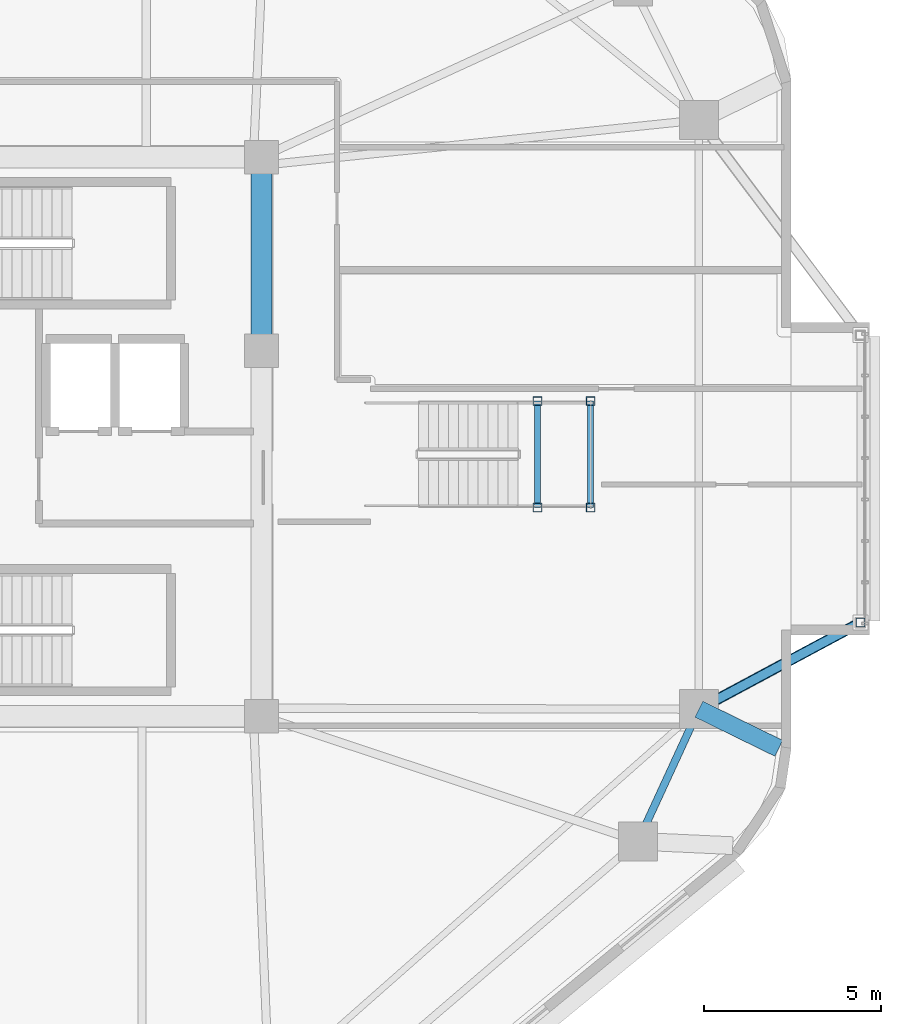
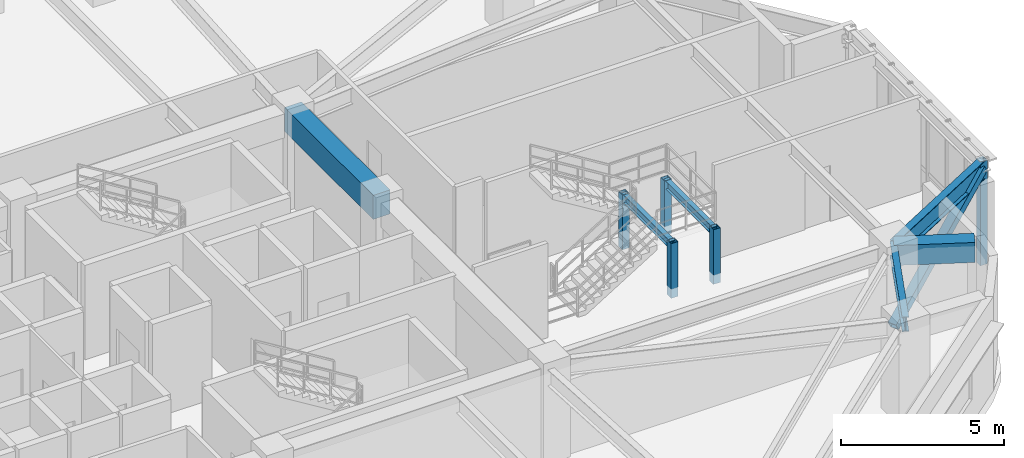
# One storey, part 5 of 16: 6 beams, 6 members.
"""IFC4 building model written with IfcOpenShell, lengths in metres."""

from ifc_helpers import new_model, si_unit, direction, frame, origin, origin_2d, place, context, subcontext, project, spatial, rectangle, hollow_rectangle, i_section, extrude, material, material_profile, profile_set, type_object, element, save


model = new_model("IFC4")

# Units and contexts
model_context = context("Model", 3, precision=1e-05, world=origin(), true_north=direction((0.0, 1.0)))
body_context = subcontext(model_context, "Body", "Model", "MODEL_VIEW")
ifc_project = project(units=[si_unit("LENGTHUNIT", "METRE"), si_unit("AREAUNIT", "SQUARE_METRE"), si_unit("VOLUMEUNIT", "CUBIC_METRE"), si_unit("PLANEANGLEUNIT", "RADIAN"), si_unit("MASSUNIT", "GRAM", prefix="KILO")], contexts=[model_context])

# Site, building, storey
site_placement = place(None, origin())
site = spatial("IfcSite", under=ifc_project, at=site_placement, CompositionType="ELEMENT")
building_placement = place(site_placement, origin())
building = spatial("IfcBuilding", under=site, at=building_placement, Name="Zulverin Broadcast Headquarters", CompositionType="ELEMENT")
storey_placement = place(building_placement, frame((0.0, 0.0, 125.0)))
storey = spatial("IfcBuildingStorey", under=building, at=storey_placement, Name="L31", CompositionType="ELEMENT", Elevation=125.0)

# Beams
ifc_material_1 = material(Name="Concrete C60/75", Category="concrete")
ifc_material_profile_1 = material_profile(ifc_material_1, rectangle(XDim=0.60009765625, YDim=0.89990234375, at=origin_2d()), Name="Concrete C60/75", Category="concrete")
ifc_profile_set_1 = profile_set([ifc_material_profile_1], Name="Concrete C60/75")
beam_type_1 = type_object("IfcBeamType", Name="BM-CB-600x900", PredefinedType="LINTEL", material=ifc_profile_set_1)
beam_1_placement = place(storey_placement, frame((48.27490234375, 27.6201171875, 3.090087890625), z_axis=(0.0, 1.0, 0.0), x_axis=(-1.0, 0.0, 0.0)))
element("IfcBeam", 1, at=beam_1_placement, inside=storey, type_object=beam_type_1, Name="L31 Core Coupling Girder K04-K05", PredefinedType="LINTEL", context=body_context, shape_type="SweptSolid", body=[
    extrude(rectangle(XDim=0.60009765625, YDim=0.89990234375, at=origin_2d()), origin(), (0.0, 0.0, 1.0), 5.454833984375),
])
ifc_material_2 = material(Name="Concrete C40/50", Category="concrete")
ifc_material_profile_2 = material_profile(ifc_material_2, rectangle(XDim=0.5, YDim=0.75, at=origin_2d()), Name="Concrete C40/50", Category="concrete")
ifc_profile_set_2 = profile_set([ifc_material_profile_2], Name="Concrete C40/50")
beam_type_2 = type_object("IfcBeamType", Name="BM-RC-500x750", PredefinedType="BEAM", material=ifc_profile_set_2)
beam_2_placement = place(storey_placement, frame((60.60009765625, 17.519287109375, 3.1650390625), z_axis=(0.898215084613, -0.439556210027, 0.0), x_axis=(0.439556210027, 0.898215084613, 0.0)))
element("IfcBeam", 2, at=beam_2_placement, inside=storey, type_object=beam_type_2, Name="L32 Plate Overhang Back-Spanned Beam OVR-05", PredefinedType="BEAM", context=body_context, shape_type="SweptSolid", body=[
    extrude(rectangle(XDim=0.5, YDim=0.75, at=origin_2d()), origin(), (0.0, 0.0, 1.0), 2.5048828125),
])
ifc_material_3 = material(Name="Structural steel S355JR", Category="steel")
ifc_material_profile_3 = material_profile(ifc_material_3, i_section(OverallWidth=0.1669921875, OverallDepth=0.310302734375, WebThickness=0.0078125, FlangeThickness=0.013671875, at=origin_2d()), Name="Structural steel S355JR", Category="steel")
ifc_profile_set_3 = profile_set([ifc_material_profile_3], Name="Structural steel S355JR")
beam_type_3 = type_object("IfcBeamType", Name="BM-UB-305", PredefinedType="SPANDREL", material=ifc_profile_set_3)
for number, where, z_axis, x_axis, name in (
    (3, (57.550048828125, 23.199951171875, 1.544921875), (0.0, 1.0, 0.0), (-1.0, 0.0, 0.0), "L31 Sky Stair Half-Landing Beam Outer"),
    (4, (56.050048828125, 23.199951171875, 1.544921875), (0.0, 1.0, 0.0), (-1.0, 0.0, 0.0), "L31 Sky Stair Half-Landing Beam Inner"),
):
    element("IfcBeam", number, at=place(storey_placement, frame(where, z_axis=z_axis, x_axis=x_axis)), inside=storey, type_object=beam_type_3, Name=name, PredefinedType="SPANDREL", context=body_context, shape_type="SweptSolid", body=[
        extrude(i_section(OverallWidth=0.1669921875, OverallDepth=0.310302734375, WebThickness=0.0078125, FlangeThickness=0.013671875, at=origin_2d()), origin(), (0.0, 0.0, 1.0), 3.0),
    ])
ifc_material_profile_4 = material_profile(ifc_material_3, i_section(OverallWidth=0.2119140625, OverallDepth=0.54443359375, WebThickness=0.0126953125, FlangeThickness=0.021240234375, at=origin_2d()), Name="Structural steel S355JR", Category="steel")
ifc_profile_set_4 = profile_set([ifc_material_profile_4], Name="Structural steel S355JR")
beam_type_4 = type_object("IfcBeamType", Name="BM-UB-533", PredefinedType="SPANDREL", material=ifc_profile_set_4)
beam_3_placement = place(storey_placement, frame((58.886962890625, 13.798095703125, 3.267578125), z_axis=(0.418184975358, 0.90836189175, 0.0), x_axis=(-0.90836189175, 0.418184975358, 0.0)))
element("IfcBeam", 5, at=beam_3_placement, inside=storey, type_object=beam_type_4, Name="L31 Perimeter Spandrel Beam SP-04", PredefinedType="SPANDREL", context=body_context, shape_type="SweptSolid", body=[
    extrude(i_section(OverallWidth=0.2119140625, OverallDepth=0.54443359375, WebThickness=0.0126953125, FlangeThickness=0.021240234375, at=origin_2d()), origin(), (0.0, 0.0, 1.0), 4.0966796875),
])
ifc_material_profile_5 = material_profile(ifc_material_3, i_section(OverallWidth=0.255859375, OverallDepth=0.69287109375, WebThickness=0.014404296875, FlangeThickness=0.023681640625, at=origin_2d()), Name="Structural steel S355JR", Category="steel")
ifc_profile_set_5 = profile_set([ifc_material_profile_5], Name="Structural steel S355JR")
beam_type_5 = type_object("IfcBeamType", Name="BM-UB-686", PredefinedType="BEAM", material=ifc_profile_set_5)
beam_4_placement = place(storey_placement, frame((60.60009765625, 17.519287109375, 3.193603515625), z_axis=(0.881215519651, 0.472714721504, 0.0), x_axis=(-0.472714721504, 0.881215519651, 0.0)))
element("IfcBeam", 6, at=beam_4_placement, inside=storey, type_object=beam_type_5, Name="L31 Studio Box Cantilever Girder SBOX_SKY1_E-1", PredefinedType="BEAM", context=body_context, shape_type="SweptSolid", body=[
    extrude(i_section(OverallWidth=0.255859375, OverallDepth=0.69287109375, WebThickness=0.014404296875, FlangeThickness=0.023681640625, at=origin_2d()), origin(), (0.0, 0.0, 1.0), 5.1630859375),
])

# Members
ifc_material_profile_6 = material_profile(ifc_material_3, hollow_rectangle(XDim=0.300048828125, YDim=0.300048828125, WallThickness=0.01611328125, at=origin_2d()), Name="Structural steel S355JR", Category="steel")
ifc_profile_set_6 = profile_set([ifc_material_profile_6], Name="Structural steel S355JR")
member_type_1 = type_object("IfcMemberType", Name="MBR-BLT-DIAG1", PredefinedType="BRACE", material=ifc_profile_set_6)
member_1_placement = place(storey_placement, frame((60.60009765625, 17.519287109375, 0.35009765625), z_axis=(0.768957503861, 0.412495608827, 0.488417577442), x_axis=(-0.472714721504, 0.881215519651, 0.0)))
element("IfcMember", 7, at=member_1_placement, inside=storey, type_object=member_type_1, Name="L31 Studio Box Raking Knee Brace SBOX_SKY1_E-1", PredefinedType="BRACE", context=body_context, shape_type="SweptSolid", body=[
    extrude(hollow_rectangle(XDim=0.300048828125, YDim=0.300048828125, WallThickness=0.01611328125, at=origin_2d()), origin(), (0.0, 0.0, 1.0), 5.916748046875),
])
ifc_material_profile_7 = material_profile(ifc_material_3, hollow_rectangle(XDim=0.25, YDim=0.25, WallThickness=0.01611328125, at=origin_2d()), Name="Structural steel S355JR", Category="steel")
ifc_profile_set_7 = profile_set([ifc_material_profile_7], Name="Structural steel S355JR")
member_type_2 = type_object("IfcMemberType", Name="MBR-BLT-POST", PredefinedType="POST", material=ifc_profile_set_7)
member_2_placement = place(storey_placement, frame((65.14990234375, 19.9599609375, -0.35009765625), z_axis=(0.0, 0.0, 1.0), x_axis=(1.0, 0.0, 0.0)))
element("IfcMember", 8, at=member_2_placement, inside=storey, type_object=member_type_2, Name="L31 Shifted Studio Box Frame Post SBOX_SKY1_E-1", PredefinedType="POST", context=body_context, shape_type="SweptSolid", body=[
    extrude(hollow_rectangle(XDim=0.25, YDim=0.25, WallThickness=0.01611328125, at=origin_2d()), origin(), (0.0, 0.0, 1.0), 3.89013671875),
])
for number, where, z_axis, x_axis, name in (
    (9, (56.050048828125, 23.199951171875, -0.35009765625), (0.0, 0.0, 1.0), (1.0, 0.0, 0.0), "L31 Sky Stair Half-Landing Post 1A"),
    (10, (57.550048828125, 23.199951171875, -0.35009765625), (0.0, 0.0, 1.0), (1.0, 0.0, 0.0), "L31 Sky Stair Half-Landing Post 1B"),
    (11, (56.050048828125, 26.199951171875, -0.35009765625), (0.0, 0.0, 1.0), (1.0, 0.0, 0.0), "L31 Sky Stair Half-Landing Post 2A"),
    (12, (57.550048828125, 26.199951171875, -0.35009765625), (0.0, 0.0, 1.0), (1.0, 0.0, 0.0), "L31 Sky Stair Half-Landing Post 2B"),
):
    element("IfcMember", number, at=place(storey_placement, frame(where, z_axis=z_axis, x_axis=x_axis)), inside=storey, type_object=member_type_2, Name=name, PredefinedType="POST", context=body_context, shape_type="SweptSolid", body=[
        extrude(hollow_rectangle(XDim=0.25, YDim=0.25, WallThickness=0.01611328125, at=origin_2d()), origin(), (0.0, 0.0, 1.0), 2.050048828125),
    ])

save(model, "model.ifc")
